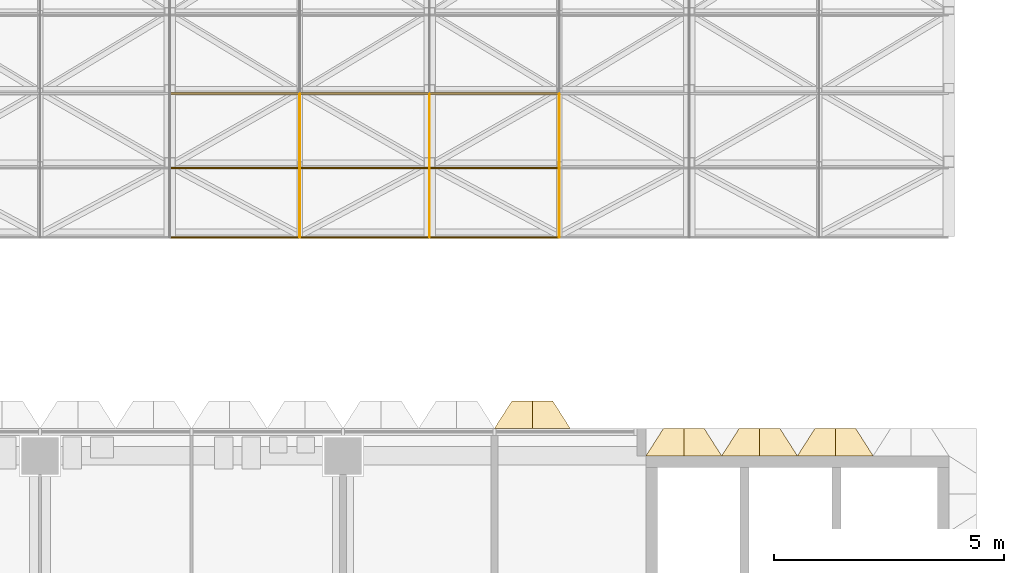
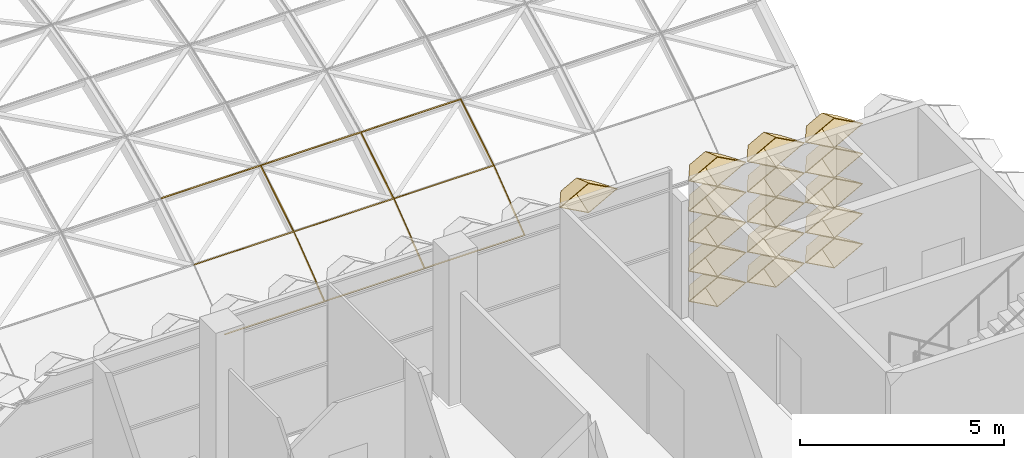
# One storey, part 68 of 85: 31 coverings.
"""IFC4 building model written with IfcOpenShell, lengths in metres."""

from ifc_helpers import new_model, entity, si_unit, direction, frame, origin, origin_2d, place, context, subcontext, project, spatial, rectangle, extrude, material, layer, layer_set, material_profile, profile_set, type_object, element, save


model = new_model("IFC4")

# Units and contexts
model_context = context("Model", 3, precision=1e-05, world=origin(), true_north=direction((0.0, 1.0)))
body_context = subcontext(model_context, "Body", "Model", "MODEL_VIEW")
ifc_project = project(units=[si_unit("LENGTHUNIT", "METRE"), si_unit("AREAUNIT", "SQUARE_METRE"), si_unit("VOLUMEUNIT", "CUBIC_METRE"), si_unit("PLANEANGLEUNIT", "RADIAN"), si_unit("MASSUNIT", "GRAM", prefix="KILO")], contexts=[model_context])

# Site, building, storey
site_placement = place(None, origin())
site = spatial("IfcSite", under=ifc_project, at=site_placement, CompositionType="ELEMENT")
building_placement = place(site_placement, origin())
building = spatial("IfcBuilding", under=site, at=building_placement, Name="Lantern Court Research Institute", CompositionType="ELEMENT")
storey_placement = place(building_placement, frame((0.0, 0.0, 18.89990234375)))
storey = spatial("IfcBuildingStorey", under=building, at=storey_placement, Name="L04", CompositionType="ELEMENT", Elevation=18.89990234375)

# Coverings
ifc_material_1 = material(Name="Anodised aluminium", Category="aluminium")
ifc_layer = layer(ifc_material_1, 0.01611328125)
ifc_layer_set = layer_set([ifc_layer], Name="Anodised aluminium")
covering_type_1 = type_object("IfcCoveringType", Name="Fin cassette 1650 x 900 x 600 aluminium", PredefinedType="CLADDING", material=ifc_layer_set)
covering_1_placement = place(storey_placement, frame((73.425048828125, 23.10009765625, 0.4501953125), z_axis=(0.0, 1.0, 0.0), x_axis=(-1.0, 0.0, 0.0)))
cartesian_point_1 = entity("IfcCartesianPoint", [0.824951171875, 0.0])
cartesian_point_2 = entity("IfcCartesianPoint", [0.79150390625, 0.0])
cartesian_point_3 = entity("IfcCartesianPoint", [0.44189453125, 0.0])
cartesian_point_4 = entity("IfcCartesianPoint", [0.43359375, 0.0])
element("IfcCovering", 1, at=covering_1_placement, inside=storey, type_object=covering_type_1, Name="Fin cassette V5N-L04 1.45", PredefinedType="CLADDING", context=body_context, shape_type="SweptSolid", body=[
    entity("IfcExtrudedAreaSolidTapered", entity("IfcArbitraryProfileDefWithVoids", "AREA", None, entity("IfcPolyline", [cartesian_point_1, entity("IfcCartesianPoint", [0.0, 0.449951171875]), entity("IfcCartesianPoint", [-0.824951171875, 0.0]), entity("IfcCartesianPoint", [0.0, -0.449951171875]), cartesian_point_1]), [entity("IfcPolyline", [cartesian_point_2, entity("IfcCartesianPoint", [0.0, 0.431884765625]), entity("IfcCartesianPoint", [-0.79150390625, 0.0]), entity("IfcCartesianPoint", [0.0, -0.431884765625]), cartesian_point_2])]), entity("IfcAxis2Placement3D", entity("IfcCartesianPoint", [0.0, 0.0, 0.0])), entity("IfcDirection", [0.0, 0.0, 1.0]), 0.60009765625, entity("IfcArbitraryProfileDefWithVoids", "AREA", None, entity("IfcPolyline", [cartesian_point_3, entity("IfcCartesianPoint", [0.0, 0.240966796875]), entity("IfcCartesianPoint", [-0.44189453125, 0.0]), entity("IfcCartesianPoint", [0.0, -0.240966796875]), cartesian_point_3]), [entity("IfcPolyline", [cartesian_point_4, entity("IfcCartesianPoint", [0.0, 0.236572265625]), entity("IfcCartesianPoint", [-0.43359375, 0.0]), entity("IfcCartesianPoint", [0.0, -0.236572265625]), cartesian_point_4])])),
])
covering_2_placement = place(storey_placement, frame((75.074951171875, 23.10009765625, 0.4501953125), z_axis=(0.0, 1.0, 0.0), x_axis=(-1.0, 0.0, 0.0)))
cartesian_point_5 = entity("IfcCartesianPoint", [0.824951171875, 0.0])
cartesian_point_6 = entity("IfcCartesianPoint", [0.79150390625, 0.0])
cartesian_point_7 = entity("IfcCartesianPoint", [0.44189453125, 0.0])
cartesian_point_8 = entity("IfcCartesianPoint", [0.43359375, 0.0])
element("IfcCovering", 2, at=covering_2_placement, inside=storey, type_object=covering_type_1, Name="Fin cassette V5N-L04 1.46", PredefinedType="CLADDING", context=body_context, shape_type="SweptSolid", body=[
    entity("IfcExtrudedAreaSolidTapered", entity("IfcArbitraryProfileDefWithVoids", "AREA", None, entity("IfcPolyline", [cartesian_point_5, entity("IfcCartesianPoint", [0.0, 0.449951171875]), entity("IfcCartesianPoint", [-0.824951171875, 0.0]), entity("IfcCartesianPoint", [0.0, -0.449951171875]), cartesian_point_5]), [entity("IfcPolyline", [cartesian_point_6, entity("IfcCartesianPoint", [0.0, 0.431884765625]), entity("IfcCartesianPoint", [-0.79150390625, 0.0]), entity("IfcCartesianPoint", [0.0, -0.431884765625]), cartesian_point_6])]), entity("IfcAxis2Placement3D", entity("IfcCartesianPoint", [0.0, 0.0, 0.0])), entity("IfcDirection", [0.0, 0.0, 1.0]), 0.60009765625, entity("IfcArbitraryProfileDefWithVoids", "AREA", None, entity("IfcPolyline", [cartesian_point_7, entity("IfcCartesianPoint", [0.0, 0.240966796875]), entity("IfcCartesianPoint", [-0.44189453125, 0.0]), entity("IfcCartesianPoint", [0.0, -0.240966796875]), cartesian_point_7]), [entity("IfcPolyline", [cartesian_point_8, entity("IfcCartesianPoint", [0.0, 0.236572265625]), entity("IfcCartesianPoint", [-0.43359375, 0.0]), entity("IfcCartesianPoint", [0.0, -0.236572265625]), cartesian_point_8])])),
])
covering_3_placement = place(storey_placement, frame((76.72509765625, 23.10009765625, 0.4501953125), z_axis=(0.0, 1.0, 0.0), x_axis=(-1.0, 0.0, 0.0)))
cartesian_point_9 = entity("IfcCartesianPoint", [0.824951171875, 0.0])
cartesian_point_10 = entity("IfcCartesianPoint", [0.79150390625, 0.0])
cartesian_point_11 = entity("IfcCartesianPoint", [0.44189453125, 0.0])
cartesian_point_12 = entity("IfcCartesianPoint", [0.43359375, 0.0])
element("IfcCovering", 3, at=covering_3_placement, inside=storey, type_object=covering_type_1, Name="Fin cassette V5N-L04 1.47", PredefinedType="CLADDING", context=body_context, shape_type="SweptSolid", body=[
    entity("IfcExtrudedAreaSolidTapered", entity("IfcArbitraryProfileDefWithVoids", "AREA", None, entity("IfcPolyline", [cartesian_point_9, entity("IfcCartesianPoint", [0.0, 0.449951171875]), entity("IfcCartesianPoint", [-0.824951171875, 0.0]), entity("IfcCartesianPoint", [0.0, -0.449951171875]), cartesian_point_9]), [entity("IfcPolyline", [cartesian_point_10, entity("IfcCartesianPoint", [0.0, 0.431884765625]), entity("IfcCartesianPoint", [-0.79150390625, 0.0]), entity("IfcCartesianPoint", [0.0, -0.431884765625]), cartesian_point_10])]), entity("IfcAxis2Placement3D", entity("IfcCartesianPoint", [0.0, 0.0, 0.0])), entity("IfcDirection", [0.0, 0.0, 1.0]), 0.60009765625, entity("IfcArbitraryProfileDefWithVoids", "AREA", None, entity("IfcPolyline", [cartesian_point_11, entity("IfcCartesianPoint", [0.0, 0.240966796875]), entity("IfcCartesianPoint", [-0.44189453125, 0.0]), entity("IfcCartesianPoint", [0.0, -0.240966796875]), cartesian_point_11]), [entity("IfcPolyline", [cartesian_point_12, entity("IfcCartesianPoint", [0.0, 0.236572265625]), entity("IfcCartesianPoint", [-0.43359375, 0.0]), entity("IfcCartesianPoint", [0.0, -0.236572265625]), cartesian_point_12])])),
])
covering_4_placement = place(storey_placement, frame((73.425048828125, 23.10009765625, 1.35009765625), z_axis=(0.0, 1.0, 0.0), x_axis=(-1.0, 0.0, 0.0)))
cartesian_point_13 = entity("IfcCartesianPoint", [0.824951171875, 0.0])
cartesian_point_14 = entity("IfcCartesianPoint", [0.79150390625, 0.0])
cartesian_point_15 = entity("IfcCartesianPoint", [0.44189453125, 0.0])
cartesian_point_16 = entity("IfcCartesianPoint", [0.43359375, 0.0])
element("IfcCovering", 4, at=covering_4_placement, inside=storey, type_object=covering_type_1, Name="Fin cassette V5N-L04 2.45", PredefinedType="CLADDING", context=body_context, shape_type="SweptSolid", body=[
    entity("IfcExtrudedAreaSolidTapered", entity("IfcArbitraryProfileDefWithVoids", "AREA", None, entity("IfcPolyline", [cartesian_point_13, entity("IfcCartesianPoint", [0.0, 0.449951171875]), entity("IfcCartesianPoint", [-0.824951171875, 0.0]), entity("IfcCartesianPoint", [0.0, -0.449951171875]), cartesian_point_13]), [entity("IfcPolyline", [cartesian_point_14, entity("IfcCartesianPoint", [0.0, 0.431884765625]), entity("IfcCartesianPoint", [-0.79150390625, 0.0]), entity("IfcCartesianPoint", [0.0, -0.431884765625]), cartesian_point_14])]), entity("IfcAxis2Placement3D", entity("IfcCartesianPoint", [0.0, 0.0, 0.0])), entity("IfcDirection", [0.0, 0.0, 1.0]), 0.60009765625, entity("IfcArbitraryProfileDefWithVoids", "AREA", None, entity("IfcPolyline", [cartesian_point_15, entity("IfcCartesianPoint", [0.0, 0.240966796875]), entity("IfcCartesianPoint", [-0.44189453125, 0.0]), entity("IfcCartesianPoint", [0.0, -0.240966796875]), cartesian_point_15]), [entity("IfcPolyline", [cartesian_point_16, entity("IfcCartesianPoint", [0.0, 0.236572265625]), entity("IfcCartesianPoint", [-0.43359375, 0.0]), entity("IfcCartesianPoint", [0.0, -0.236572265625]), cartesian_point_16])])),
])
covering_5_placement = place(storey_placement, frame((75.074951171875, 23.10009765625, 1.35009765625), z_axis=(0.0, 1.0, 0.0), x_axis=(-1.0, 0.0, 0.0)))
cartesian_point_17 = entity("IfcCartesianPoint", [0.824951171875, 0.0])
cartesian_point_18 = entity("IfcCartesianPoint", [0.79150390625, 0.0])
cartesian_point_19 = entity("IfcCartesianPoint", [0.44189453125, 0.0])
cartesian_point_20 = entity("IfcCartesianPoint", [0.43359375, 0.0])
element("IfcCovering", 5, at=covering_5_placement, inside=storey, type_object=covering_type_1, Name="Fin cassette V5N-L04 2.46", PredefinedType="CLADDING", context=body_context, shape_type="SweptSolid", body=[
    entity("IfcExtrudedAreaSolidTapered", entity("IfcArbitraryProfileDefWithVoids", "AREA", None, entity("IfcPolyline", [cartesian_point_17, entity("IfcCartesianPoint", [0.0, 0.449951171875]), entity("IfcCartesianPoint", [-0.824951171875, 0.0]), entity("IfcCartesianPoint", [0.0, -0.449951171875]), cartesian_point_17]), [entity("IfcPolyline", [cartesian_point_18, entity("IfcCartesianPoint", [0.0, 0.431884765625]), entity("IfcCartesianPoint", [-0.79150390625, 0.0]), entity("IfcCartesianPoint", [0.0, -0.431884765625]), cartesian_point_18])]), entity("IfcAxis2Placement3D", entity("IfcCartesianPoint", [0.0, 0.0, 0.0])), entity("IfcDirection", [0.0, 0.0, 1.0]), 0.60009765625, entity("IfcArbitraryProfileDefWithVoids", "AREA", None, entity("IfcPolyline", [cartesian_point_19, entity("IfcCartesianPoint", [0.0, 0.240966796875]), entity("IfcCartesianPoint", [-0.44189453125, 0.0]), entity("IfcCartesianPoint", [0.0, -0.240966796875]), cartesian_point_19]), [entity("IfcPolyline", [cartesian_point_20, entity("IfcCartesianPoint", [0.0, 0.236572265625]), entity("IfcCartesianPoint", [-0.43359375, 0.0]), entity("IfcCartesianPoint", [0.0, -0.236572265625]), cartesian_point_20])])),
])
covering_6_placement = place(storey_placement, frame((76.72509765625, 23.10009765625, 1.35009765625), z_axis=(0.0, 1.0, 0.0), x_axis=(-1.0, 0.0, 0.0)))
cartesian_point_21 = entity("IfcCartesianPoint", [0.824951171875, 0.0])
cartesian_point_22 = entity("IfcCartesianPoint", [0.79150390625, 0.0])
cartesian_point_23 = entity("IfcCartesianPoint", [0.44189453125, 0.0])
cartesian_point_24 = entity("IfcCartesianPoint", [0.43359375, 0.0])
element("IfcCovering", 6, at=covering_6_placement, inside=storey, type_object=covering_type_1, Name="Fin cassette V5N-L04 2.47", PredefinedType="CLADDING", context=body_context, shape_type="SweptSolid", body=[
    entity("IfcExtrudedAreaSolidTapered", entity("IfcArbitraryProfileDefWithVoids", "AREA", None, entity("IfcPolyline", [cartesian_point_21, entity("IfcCartesianPoint", [0.0, 0.449951171875]), entity("IfcCartesianPoint", [-0.824951171875, 0.0]), entity("IfcCartesianPoint", [0.0, -0.449951171875]), cartesian_point_21]), [entity("IfcPolyline", [cartesian_point_22, entity("IfcCartesianPoint", [0.0, 0.431884765625]), entity("IfcCartesianPoint", [-0.79150390625, 0.0]), entity("IfcCartesianPoint", [0.0, -0.431884765625]), cartesian_point_22])]), entity("IfcAxis2Placement3D", entity("IfcCartesianPoint", [0.0, 0.0, 0.0])), entity("IfcDirection", [0.0, 0.0, 1.0]), 0.60009765625, entity("IfcArbitraryProfileDefWithVoids", "AREA", None, entity("IfcPolyline", [cartesian_point_23, entity("IfcCartesianPoint", [0.0, 0.240966796875]), entity("IfcCartesianPoint", [-0.44189453125, 0.0]), entity("IfcCartesianPoint", [0.0, -0.240966796875]), cartesian_point_23]), [entity("IfcPolyline", [cartesian_point_24, entity("IfcCartesianPoint", [0.0, 0.236572265625]), entity("IfcCartesianPoint", [-0.43359375, 0.0]), entity("IfcCartesianPoint", [0.0, -0.236572265625]), cartesian_point_24])])),
])
covering_7_placement = place(storey_placement, frame((73.425048828125, 23.10009765625, 2.25), z_axis=(0.0, 1.0, 0.0), x_axis=(-1.0, 0.0, 0.0)))
cartesian_point_25 = entity("IfcCartesianPoint", [0.824951171875, 0.0])
cartesian_point_26 = entity("IfcCartesianPoint", [0.79150390625, 0.0])
cartesian_point_27 = entity("IfcCartesianPoint", [0.44189453125, 0.0])
cartesian_point_28 = entity("IfcCartesianPoint", [0.43359375, 0.0])
element("IfcCovering", 7, at=covering_7_placement, inside=storey, type_object=covering_type_1, Name="Fin cassette V5N-L04 3.45", PredefinedType="CLADDING", context=body_context, shape_type="SweptSolid", body=[
    entity("IfcExtrudedAreaSolidTapered", entity("IfcArbitraryProfileDefWithVoids", "AREA", None, entity("IfcPolyline", [cartesian_point_25, entity("IfcCartesianPoint", [0.0, 0.449951171875]), entity("IfcCartesianPoint", [-0.824951171875, 0.0]), entity("IfcCartesianPoint", [0.0, -0.449951171875]), cartesian_point_25]), [entity("IfcPolyline", [cartesian_point_26, entity("IfcCartesianPoint", [0.0, 0.431884765625]), entity("IfcCartesianPoint", [-0.79150390625, 0.0]), entity("IfcCartesianPoint", [0.0, -0.431884765625]), cartesian_point_26])]), entity("IfcAxis2Placement3D", entity("IfcCartesianPoint", [0.0, 0.0, 0.0])), entity("IfcDirection", [0.0, 0.0, 1.0]), 0.60009765625, entity("IfcArbitraryProfileDefWithVoids", "AREA", None, entity("IfcPolyline", [cartesian_point_27, entity("IfcCartesianPoint", [0.0, 0.240966796875]), entity("IfcCartesianPoint", [-0.44189453125, 0.0]), entity("IfcCartesianPoint", [0.0, -0.240966796875]), cartesian_point_27]), [entity("IfcPolyline", [cartesian_point_28, entity("IfcCartesianPoint", [0.0, 0.236572265625]), entity("IfcCartesianPoint", [-0.43359375, 0.0]), entity("IfcCartesianPoint", [0.0, -0.236572265625]), cartesian_point_28])])),
])
covering_8_placement = place(storey_placement, frame((75.074951171875, 23.10009765625, 2.25), z_axis=(0.0, 1.0, 0.0), x_axis=(-1.0, 0.0, 0.0)))
cartesian_point_29 = entity("IfcCartesianPoint", [0.824951171875, 0.0])
cartesian_point_30 = entity("IfcCartesianPoint", [0.79150390625, 0.0])
cartesian_point_31 = entity("IfcCartesianPoint", [0.44189453125, 0.0])
cartesian_point_32 = entity("IfcCartesianPoint", [0.43359375, 0.0])
element("IfcCovering", 8, at=covering_8_placement, inside=storey, type_object=covering_type_1, Name="Fin cassette V5N-L04 3.46", PredefinedType="CLADDING", context=body_context, shape_type="SweptSolid", body=[
    entity("IfcExtrudedAreaSolidTapered", entity("IfcArbitraryProfileDefWithVoids", "AREA", None, entity("IfcPolyline", [cartesian_point_29, entity("IfcCartesianPoint", [0.0, 0.449951171875]), entity("IfcCartesianPoint", [-0.824951171875, 0.0]), entity("IfcCartesianPoint", [0.0, -0.449951171875]), cartesian_point_29]), [entity("IfcPolyline", [cartesian_point_30, entity("IfcCartesianPoint", [0.0, 0.431884765625]), entity("IfcCartesianPoint", [-0.79150390625, 0.0]), entity("IfcCartesianPoint", [0.0, -0.431884765625]), cartesian_point_30])]), entity("IfcAxis2Placement3D", entity("IfcCartesianPoint", [0.0, 0.0, 0.0])), entity("IfcDirection", [0.0, 0.0, 1.0]), 0.60009765625, entity("IfcArbitraryProfileDefWithVoids", "AREA", None, entity("IfcPolyline", [cartesian_point_31, entity("IfcCartesianPoint", [0.0, 0.240966796875]), entity("IfcCartesianPoint", [-0.44189453125, 0.0]), entity("IfcCartesianPoint", [0.0, -0.240966796875]), cartesian_point_31]), [entity("IfcPolyline", [cartesian_point_32, entity("IfcCartesianPoint", [0.0, 0.236572265625]), entity("IfcCartesianPoint", [-0.43359375, 0.0]), entity("IfcCartesianPoint", [0.0, -0.236572265625]), cartesian_point_32])])),
])
covering_9_placement = place(storey_placement, frame((76.72509765625, 23.10009765625, 2.25), z_axis=(0.0, 1.0, 0.0), x_axis=(-1.0, 0.0, 0.0)))
cartesian_point_33 = entity("IfcCartesianPoint", [0.824951171875, 0.0])
cartesian_point_34 = entity("IfcCartesianPoint", [0.79150390625, 0.0])
cartesian_point_35 = entity("IfcCartesianPoint", [0.44189453125, 0.0])
cartesian_point_36 = entity("IfcCartesianPoint", [0.43359375, 0.0])
element("IfcCovering", 9, at=covering_9_placement, inside=storey, type_object=covering_type_1, Name="Fin cassette V5N-L04 3.47", PredefinedType="CLADDING", context=body_context, shape_type="SweptSolid", body=[
    entity("IfcExtrudedAreaSolidTapered", entity("IfcArbitraryProfileDefWithVoids", "AREA", None, entity("IfcPolyline", [cartesian_point_33, entity("IfcCartesianPoint", [0.0, 0.449951171875]), entity("IfcCartesianPoint", [-0.824951171875, 0.0]), entity("IfcCartesianPoint", [0.0, -0.449951171875]), cartesian_point_33]), [entity("IfcPolyline", [cartesian_point_34, entity("IfcCartesianPoint", [0.0, 0.431884765625]), entity("IfcCartesianPoint", [-0.79150390625, 0.0]), entity("IfcCartesianPoint", [0.0, -0.431884765625]), cartesian_point_34])]), entity("IfcAxis2Placement3D", entity("IfcCartesianPoint", [0.0, 0.0, 0.0])), entity("IfcDirection", [0.0, 0.0, 1.0]), 0.60009765625, entity("IfcArbitraryProfileDefWithVoids", "AREA", None, entity("IfcPolyline", [cartesian_point_35, entity("IfcCartesianPoint", [0.0, 0.240966796875]), entity("IfcCartesianPoint", [-0.44189453125, 0.0]), entity("IfcCartesianPoint", [0.0, -0.240966796875]), cartesian_point_35]), [entity("IfcPolyline", [cartesian_point_36, entity("IfcCartesianPoint", [0.0, 0.236572265625]), entity("IfcCartesianPoint", [-0.43359375, 0.0]), entity("IfcCartesianPoint", [0.0, -0.236572265625]), cartesian_point_36])])),
])
covering_10_placement = place(storey_placement, frame((73.425048828125, 23.10009765625, 3.150146484375), z_axis=(0.0, 1.0, 0.0), x_axis=(-1.0, 0.0, 0.0)))
cartesian_point_37 = entity("IfcCartesianPoint", [0.824951171875, 0.0])
cartesian_point_38 = entity("IfcCartesianPoint", [0.79150390625, 0.0])
cartesian_point_39 = entity("IfcCartesianPoint", [0.44189453125, 0.0])
cartesian_point_40 = entity("IfcCartesianPoint", [0.43359375, 0.0])
element("IfcCovering", 10, at=covering_10_placement, inside=storey, type_object=covering_type_1, Name="Fin cassette V5N-L04 4.45", PredefinedType="CLADDING", context=body_context, shape_type="SweptSolid", body=[
    entity("IfcExtrudedAreaSolidTapered", entity("IfcArbitraryProfileDefWithVoids", "AREA", None, entity("IfcPolyline", [cartesian_point_37, entity("IfcCartesianPoint", [0.0, 0.449951171875]), entity("IfcCartesianPoint", [-0.824951171875, 0.0]), entity("IfcCartesianPoint", [0.0, -0.449951171875]), cartesian_point_37]), [entity("IfcPolyline", [cartesian_point_38, entity("IfcCartesianPoint", [0.0, 0.431884765625]), entity("IfcCartesianPoint", [-0.79150390625, 0.0]), entity("IfcCartesianPoint", [0.0, -0.431884765625]), cartesian_point_38])]), entity("IfcAxis2Placement3D", entity("IfcCartesianPoint", [0.0, 0.0, 0.0])), entity("IfcDirection", [0.0, 0.0, 1.0]), 0.60009765625, entity("IfcArbitraryProfileDefWithVoids", "AREA", None, entity("IfcPolyline", [cartesian_point_39, entity("IfcCartesianPoint", [0.0, 0.240966796875]), entity("IfcCartesianPoint", [-0.44189453125, 0.0]), entity("IfcCartesianPoint", [0.0, -0.240966796875]), cartesian_point_39]), [entity("IfcPolyline", [cartesian_point_40, entity("IfcCartesianPoint", [0.0, 0.236572265625]), entity("IfcCartesianPoint", [-0.43359375, 0.0]), entity("IfcCartesianPoint", [0.0, -0.236572265625]), cartesian_point_40])])),
])
covering_11_placement = place(storey_placement, frame((75.074951171875, 23.10009765625, 3.150146484375), z_axis=(0.0, 1.0, 0.0), x_axis=(-1.0, 0.0, 0.0)))
cartesian_point_41 = entity("IfcCartesianPoint", [0.824951171875, 0.0])
cartesian_point_42 = entity("IfcCartesianPoint", [0.79150390625, 0.0])
cartesian_point_43 = entity("IfcCartesianPoint", [0.44189453125, 0.0])
cartesian_point_44 = entity("IfcCartesianPoint", [0.43359375, 0.0])
element("IfcCovering", 11, at=covering_11_placement, inside=storey, type_object=covering_type_1, Name="Fin cassette V5N-L04 4.46", PredefinedType="CLADDING", context=body_context, shape_type="SweptSolid", body=[
    entity("IfcExtrudedAreaSolidTapered", entity("IfcArbitraryProfileDefWithVoids", "AREA", None, entity("IfcPolyline", [cartesian_point_41, entity("IfcCartesianPoint", [0.0, 0.449951171875]), entity("IfcCartesianPoint", [-0.824951171875, 0.0]), entity("IfcCartesianPoint", [0.0, -0.449951171875]), cartesian_point_41]), [entity("IfcPolyline", [cartesian_point_42, entity("IfcCartesianPoint", [0.0, 0.431884765625]), entity("IfcCartesianPoint", [-0.79150390625, 0.0]), entity("IfcCartesianPoint", [0.0, -0.431884765625]), cartesian_point_42])]), entity("IfcAxis2Placement3D", entity("IfcCartesianPoint", [0.0, 0.0, 0.0])), entity("IfcDirection", [0.0, 0.0, 1.0]), 0.60009765625, entity("IfcArbitraryProfileDefWithVoids", "AREA", None, entity("IfcPolyline", [cartesian_point_43, entity("IfcCartesianPoint", [0.0, 0.240966796875]), entity("IfcCartesianPoint", [-0.44189453125, 0.0]), entity("IfcCartesianPoint", [0.0, -0.240966796875]), cartesian_point_43]), [entity("IfcPolyline", [cartesian_point_44, entity("IfcCartesianPoint", [0.0, 0.236572265625]), entity("IfcCartesianPoint", [-0.43359375, 0.0]), entity("IfcCartesianPoint", [0.0, -0.236572265625]), cartesian_point_44])])),
])
covering_12_placement = place(storey_placement, frame((76.72509765625, 23.10009765625, 3.150146484375), z_axis=(0.0, 1.0, 0.0), x_axis=(-1.0, 0.0, 0.0)))
cartesian_point_45 = entity("IfcCartesianPoint", [0.824951171875, 0.0])
cartesian_point_46 = entity("IfcCartesianPoint", [0.79150390625, 0.0])
cartesian_point_47 = entity("IfcCartesianPoint", [0.44189453125, 0.0])
cartesian_point_48 = entity("IfcCartesianPoint", [0.43359375, 0.0])
element("IfcCovering", 12, at=covering_12_placement, inside=storey, type_object=covering_type_1, Name="Fin cassette V5N-L04 4.47", PredefinedType="CLADDING", context=body_context, shape_type="SweptSolid", body=[
    entity("IfcExtrudedAreaSolidTapered", entity("IfcArbitraryProfileDefWithVoids", "AREA", None, entity("IfcPolyline", [cartesian_point_45, entity("IfcCartesianPoint", [0.0, 0.449951171875]), entity("IfcCartesianPoint", [-0.824951171875, 0.0]), entity("IfcCartesianPoint", [0.0, -0.449951171875]), cartesian_point_45]), [entity("IfcPolyline", [cartesian_point_46, entity("IfcCartesianPoint", [0.0, 0.431884765625]), entity("IfcCartesianPoint", [-0.79150390625, 0.0]), entity("IfcCartesianPoint", [0.0, -0.431884765625]), cartesian_point_46])]), entity("IfcAxis2Placement3D", entity("IfcCartesianPoint", [0.0, 0.0, 0.0])), entity("IfcDirection", [0.0, 0.0, 1.0]), 0.60009765625, entity("IfcArbitraryProfileDefWithVoids", "AREA", None, entity("IfcPolyline", [cartesian_point_47, entity("IfcCartesianPoint", [0.0, 0.240966796875]), entity("IfcCartesianPoint", [-0.44189453125, 0.0]), entity("IfcCartesianPoint", [0.0, -0.240966796875]), cartesian_point_47]), [entity("IfcPolyline", [cartesian_point_48, entity("IfcCartesianPoint", [0.0, 0.236572265625]), entity("IfcCartesianPoint", [-0.43359375, 0.0]), entity("IfcCartesianPoint", [0.0, -0.236572265625]), cartesian_point_48])])),
])
covering_13_placement = place(storey_placement, frame((73.425048828125, 23.10009765625, 4.050048828125), z_axis=(0.0, 1.0, 0.0), x_axis=(-1.0, 0.0, 0.0)))
cartesian_point_49 = entity("IfcCartesianPoint", [0.824951171875, 0.0])
cartesian_point_50 = entity("IfcCartesianPoint", [0.79150390625, 0.0])
cartesian_point_51 = entity("IfcCartesianPoint", [0.44189453125, 0.0])
cartesian_point_52 = entity("IfcCartesianPoint", [0.43359375, 0.0])
element("IfcCovering", 13, at=covering_13_placement, inside=storey, type_object=covering_type_1, Name="Fin cassette V5N-L04 5.45", PredefinedType="CLADDING", context=body_context, shape_type="SweptSolid", body=[
    entity("IfcExtrudedAreaSolidTapered", entity("IfcArbitraryProfileDefWithVoids", "AREA", None, entity("IfcPolyline", [cartesian_point_49, entity("IfcCartesianPoint", [0.0, 0.449951171875]), entity("IfcCartesianPoint", [-0.824951171875, 0.0]), entity("IfcCartesianPoint", [0.0, -0.449951171875]), cartesian_point_49]), [entity("IfcPolyline", [cartesian_point_50, entity("IfcCartesianPoint", [0.0, 0.431884765625]), entity("IfcCartesianPoint", [-0.79150390625, 0.0]), entity("IfcCartesianPoint", [0.0, -0.431884765625]), cartesian_point_50])]), entity("IfcAxis2Placement3D", entity("IfcCartesianPoint", [0.0, 0.0, 0.0])), entity("IfcDirection", [0.0, 0.0, 1.0]), 0.60009765625, entity("IfcArbitraryProfileDefWithVoids", "AREA", None, entity("IfcPolyline", [cartesian_point_51, entity("IfcCartesianPoint", [0.0, 0.240966796875]), entity("IfcCartesianPoint", [-0.44189453125, 0.0]), entity("IfcCartesianPoint", [0.0, -0.240966796875]), cartesian_point_51]), [entity("IfcPolyline", [cartesian_point_52, entity("IfcCartesianPoint", [0.0, 0.236572265625]), entity("IfcCartesianPoint", [-0.43359375, 0.0]), entity("IfcCartesianPoint", [0.0, -0.236572265625]), cartesian_point_52])])),
])
covering_14_placement = place(storey_placement, frame((75.074951171875, 23.10009765625, 4.050048828125), z_axis=(0.0, 1.0, 0.0), x_axis=(-1.0, 0.0, 0.0)))
cartesian_point_53 = entity("IfcCartesianPoint", [0.824951171875, 0.0])
cartesian_point_54 = entity("IfcCartesianPoint", [0.79150390625, 0.0])
cartesian_point_55 = entity("IfcCartesianPoint", [0.44189453125, 0.0])
cartesian_point_56 = entity("IfcCartesianPoint", [0.43359375, 0.0])
element("IfcCovering", 14, at=covering_14_placement, inside=storey, type_object=covering_type_1, Name="Fin cassette V5N-L04 5.46", PredefinedType="CLADDING", context=body_context, shape_type="SweptSolid", body=[
    entity("IfcExtrudedAreaSolidTapered", entity("IfcArbitraryProfileDefWithVoids", "AREA", None, entity("IfcPolyline", [cartesian_point_53, entity("IfcCartesianPoint", [0.0, 0.449951171875]), entity("IfcCartesianPoint", [-0.824951171875, 0.0]), entity("IfcCartesianPoint", [0.0, -0.449951171875]), cartesian_point_53]), [entity("IfcPolyline", [cartesian_point_54, entity("IfcCartesianPoint", [0.0, 0.431884765625]), entity("IfcCartesianPoint", [-0.79150390625, 0.0]), entity("IfcCartesianPoint", [0.0, -0.431884765625]), cartesian_point_54])]), entity("IfcAxis2Placement3D", entity("IfcCartesianPoint", [0.0, 0.0, 0.0])), entity("IfcDirection", [0.0, 0.0, 1.0]), 0.60009765625, entity("IfcArbitraryProfileDefWithVoids", "AREA", None, entity("IfcPolyline", [cartesian_point_55, entity("IfcCartesianPoint", [0.0, 0.240966796875]), entity("IfcCartesianPoint", [-0.44189453125, 0.0]), entity("IfcCartesianPoint", [0.0, -0.240966796875]), cartesian_point_55]), [entity("IfcPolyline", [cartesian_point_56, entity("IfcCartesianPoint", [0.0, 0.236572265625]), entity("IfcCartesianPoint", [-0.43359375, 0.0]), entity("IfcCartesianPoint", [0.0, -0.236572265625]), cartesian_point_56])])),
])
covering_15_placement = place(storey_placement, frame((76.72509765625, 23.10009765625, 4.050048828125), z_axis=(0.0, 1.0, 0.0), x_axis=(-1.0, 0.0, 0.0)))
cartesian_point_57 = entity("IfcCartesianPoint", [0.824951171875, 0.0])
cartesian_point_58 = entity("IfcCartesianPoint", [0.79150390625, 0.0])
cartesian_point_59 = entity("IfcCartesianPoint", [0.44189453125, 0.0])
cartesian_point_60 = entity("IfcCartesianPoint", [0.43359375, 0.0])
element("IfcCovering", 15, at=covering_15_placement, inside=storey, type_object=covering_type_1, Name="Fin cassette V5N-L04 5.47", PredefinedType="CLADDING", context=body_context, shape_type="SweptSolid", body=[
    entity("IfcExtrudedAreaSolidTapered", entity("IfcArbitraryProfileDefWithVoids", "AREA", None, entity("IfcPolyline", [cartesian_point_57, entity("IfcCartesianPoint", [0.0, 0.449951171875]), entity("IfcCartesianPoint", [-0.824951171875, 0.0]), entity("IfcCartesianPoint", [0.0, -0.449951171875]), cartesian_point_57]), [entity("IfcPolyline", [cartesian_point_58, entity("IfcCartesianPoint", [0.0, 0.431884765625]), entity("IfcCartesianPoint", [-0.79150390625, 0.0]), entity("IfcCartesianPoint", [0.0, -0.431884765625]), cartesian_point_58])]), entity("IfcAxis2Placement3D", entity("IfcCartesianPoint", [0.0, 0.0, 0.0])), entity("IfcDirection", [0.0, 0.0, 1.0]), 0.60009765625, entity("IfcArbitraryProfileDefWithVoids", "AREA", None, entity("IfcPolyline", [cartesian_point_59, entity("IfcCartesianPoint", [0.0, 0.240966796875]), entity("IfcCartesianPoint", [-0.44189453125, 0.0]), entity("IfcCartesianPoint", [0.0, -0.240966796875]), cartesian_point_59]), [entity("IfcPolyline", [cartesian_point_60, entity("IfcCartesianPoint", [0.0, 0.236572265625]), entity("IfcCartesianPoint", [-0.43359375, 0.0]), entity("IfcCartesianPoint", [0.0, -0.236572265625]), cartesian_point_60])])),
])
covering_16_placement = place(storey_placement, frame((70.125, 23.699951171875, 4.050048828125), z_axis=(0.0, 1.0, 0.0), x_axis=(-1.0, 0.0, 0.0)))
cartesian_point_61 = entity("IfcCartesianPoint", [0.824951171875, 0.0])
cartesian_point_62 = entity("IfcCartesianPoint", [0.79150390625, 0.0])
cartesian_point_63 = entity("IfcCartesianPoint", [0.44189453125, 0.0])
cartesian_point_64 = entity("IfcCartesianPoint", [0.43359375, 0.0])
element("IfcCovering", 16, at=covering_16_placement, inside=storey, type_object=covering_type_1, Name="Fin cassette V5N-L04 5.43", PredefinedType="CLADDING", context=body_context, shape_type="SweptSolid", body=[
    entity("IfcExtrudedAreaSolidTapered", entity("IfcArbitraryProfileDefWithVoids", "AREA", None, entity("IfcPolyline", [cartesian_point_61, entity("IfcCartesianPoint", [0.0, 0.449951171875]), entity("IfcCartesianPoint", [-0.824951171875, 0.0]), entity("IfcCartesianPoint", [0.0, -0.449951171875]), cartesian_point_61]), [entity("IfcPolyline", [cartesian_point_62, entity("IfcCartesianPoint", [0.0, 0.431884765625]), entity("IfcCartesianPoint", [-0.79150390625, 0.0]), entity("IfcCartesianPoint", [0.0, -0.431884765625]), cartesian_point_62])]), entity("IfcAxis2Placement3D", entity("IfcCartesianPoint", [0.0, 0.0, 0.0])), entity("IfcDirection", [0.0, 0.0, 1.0]), 0.60009765625, entity("IfcArbitraryProfileDefWithVoids", "AREA", None, entity("IfcPolyline", [cartesian_point_63, entity("IfcCartesianPoint", [0.0, 0.240966796875]), entity("IfcCartesianPoint", [-0.44189453125, 0.0]), entity("IfcCartesianPoint", [0.0, -0.240966796875]), cartesian_point_63]), [entity("IfcPolyline", [cartesian_point_64, entity("IfcCartesianPoint", [0.0, 0.236572265625]), entity("IfcCartesianPoint", [-0.43359375, 0.0]), entity("IfcCartesianPoint", [0.0, -0.236572265625]), cartesian_point_64])])),
])
ifc_material_2 = material(Name="Aluminium alloy 6063-T6", Category="aluminium")
ifc_material_profile = material_profile(ifc_material_2, rectangle(XDim=0.01806640625, YDim=0.0439453125, at=origin_2d()), Name="Joint cover bar 18 x 44")
ifc_profile_set = profile_set([ifc_material_profile], Name="Aluminium alloy 6063-T6")
covering_type_2 = type_object("IfcCoveringType", Name="Joint cover bar 18 x 44", PredefinedType="MOLDING", material=ifc_profile_set)
for number, where, z_axis, x_axis, name in (
    (17, (62.238525390625, 27.8642578125, 0.21240234375), (1.0, 0.0, 0.0), (0.0, 0.761672913152, 0.647961706717), "Joint cover bar"),
    (18, (62.238525390625, 29.375244140625, 1.3720703125), (1.0, 0.0, 0.0), (0.0, 0.822954255966, 0.568107641726), "Joint cover bar"),
    (19, (62.238525390625, 30.9951171875, 2.373779296875), (1.0, 0.0, 0.0), (0.0, 0.875897373228, 0.482497452399), "Joint cover bar"),
):
    element("IfcCovering", number, at=place(storey_placement, frame(where, z_axis=z_axis, x_axis=x_axis)), inside=storey, type_object=covering_type_2, Name=name, PredefinedType="MOLDING", context=body_context, shape_type="SweptSolid", body=[
        extrude(rectangle(XDim=0.01806640625, YDim=0.0439453125, at=origin_2d()), origin(), (0.0, 0.0, 1.0), 2.80859375),
    ])
covering_17_placement = place(storey_placement, frame((65.05712890625, 27.864990234375, 0.213134765625), z_axis=(0.0, 0.793329505358, 0.608792490039), x_axis=(-1.0, 0.0, 0.0)))
element("IfcCovering", 20, at=covering_17_placement, inside=storey, type_object=covering_type_2, Name="Joint cover bar", PredefinedType="MOLDING", context=body_context, shape_type="SweptSolid", body=[
    extrude(rectangle(XDim=0.01806640625, YDim=0.0439453125, at=origin_2d()), origin(), (0.0, 0.0, 1.0), 1.90234375),
])
covering_18_placement = place(storey_placement, frame((65.067138671875, 27.8642578125, 0.21240234375), z_axis=(1.0, 0.0, 0.0), x_axis=(0.0, 0.761672913152, 0.647961706717)))
element("IfcCovering", 21, at=covering_18_placement, inside=storey, type_object=covering_type_2, Name="Joint cover bar", PredefinedType="MOLDING", context=body_context, shape_type="SweptSolid", body=[
    extrude(rectangle(XDim=0.01806640625, YDim=0.0439453125, at=origin_2d()), origin(), (0.0, 0.0, 1.0), 2.80859375),
])
covering_19_placement = place(storey_placement, frame((65.05712890625, 29.376220703125, 1.37255859375), z_axis=(0.0, 0.850462004525, 0.526036480541), x_axis=(-1.0, 0.0, 0.0)))
element("IfcCovering", 22, at=covering_19_placement, inside=storey, type_object=covering_type_2, Name="Joint cover bar", PredefinedType="MOLDING", context=body_context, shape_type="SweptSolid", body=[
    extrude(rectangle(XDim=0.01806640625, YDim=0.0439453125, at=origin_2d()), origin(), (0.0, 0.0, 1.0), 1.90234375),
])
for number, where, z_axis, x_axis, name in (
    (23, (65.067138671875, 29.375244140625, 1.3720703125), (1.0, 0.0, 0.0), (0.0, 0.822954255966, 0.568107641726), "Joint cover bar"),
    (24, (65.067138671875, 30.9951171875, 2.373779296875), (1.0, 0.0, 0.0), (0.0, 0.875897373228, 0.482497452399), "Joint cover bar"),
):
    element("IfcCovering", number, at=place(storey_placement, frame(where, z_axis=z_axis, x_axis=x_axis)), inside=storey, type_object=covering_type_2, Name=name, PredefinedType="MOLDING", context=body_context, shape_type="SweptSolid", body=[
        extrude(rectangle(XDim=0.01806640625, YDim=0.0439453125, at=origin_2d()), origin(), (0.0, 0.0, 1.0), 2.80859375),
    ])
covering_20_placement = place(storey_placement, frame((67.8857421875, 27.864990234375, 0.213134765625), z_axis=(0.0, 0.793329505358, 0.608792490039), x_axis=(-1.0, 0.0, 0.0)))
element("IfcCovering", 25, at=covering_20_placement, inside=storey, type_object=covering_type_2, Name="Joint cover bar", PredefinedType="MOLDING", context=body_context, shape_type="SweptSolid", body=[
    extrude(rectangle(XDim=0.01806640625, YDim=0.0439453125, at=origin_2d()), origin(), (0.0, 0.0, 1.0), 1.90234375),
])
covering_21_placement = place(storey_placement, frame((67.895751953125, 27.8642578125, 0.21240234375), z_axis=(1.0, 0.0, 0.0), x_axis=(0.0, 0.761672913152, 0.647961706717)))
element("IfcCovering", 26, at=covering_21_placement, inside=storey, type_object=covering_type_2, Name="Joint cover bar", PredefinedType="MOLDING", context=body_context, shape_type="SweptSolid", body=[
    extrude(rectangle(XDim=0.01806640625, YDim=0.0439453125, at=origin_2d()), origin(), (0.0, 0.0, 1.0), 2.80859375),
])
covering_22_placement = place(storey_placement, frame((67.8857421875, 29.376220703125, 1.37255859375), z_axis=(0.0, 0.850462004525, 0.526036480541), x_axis=(-1.0, 0.0, 0.0)))
element("IfcCovering", 27, at=covering_22_placement, inside=storey, type_object=covering_type_2, Name="Joint cover bar", PredefinedType="MOLDING", context=body_context, shape_type="SweptSolid", body=[
    extrude(rectangle(XDim=0.01806640625, YDim=0.0439453125, at=origin_2d()), origin(), (0.0, 0.0, 1.0), 1.90234375),
])
for number, where, z_axis, x_axis, name in (
    (28, (67.895751953125, 29.375244140625, 1.3720703125), (1.0, 0.0, 0.0), (0.0, 0.822954255966, 0.568107641726), "Joint cover bar"),
    (29, (67.895751953125, 30.9951171875, 2.373779296875), (1.0, 0.0, 0.0), (0.0, 0.875897373228, 0.482497452399), "Joint cover bar"),
):
    element("IfcCovering", number, at=place(storey_placement, frame(where, z_axis=z_axis, x_axis=x_axis)), inside=storey, type_object=covering_type_2, Name=name, PredefinedType="MOLDING", context=body_context, shape_type="SweptSolid", body=[
        extrude(rectangle(XDim=0.01806640625, YDim=0.0439453125, at=origin_2d()), origin(), (0.0, 0.0, 1.0), 2.80859375),
    ])
for number, where, z_axis, x_axis, name in (
    (30, (70.71435546875, 27.864990234375, 0.213134765625), (0.0, 0.793329505358, 0.608792490039), (-1.0, 0.0, 0.0), "Joint cover bar"),
    (31, (70.71435546875, 29.376220703125, 1.37255859375), (0.0, 0.850462004525, 0.526036480541), (-1.0, 0.0, 0.0), "Joint cover bar"),
):
    element("IfcCovering", number, at=place(storey_placement, frame(where, z_axis=z_axis, x_axis=x_axis)), inside=storey, type_object=covering_type_2, Name=name, PredefinedType="MOLDING", context=body_context, shape_type="SweptSolid", body=[
        extrude(rectangle(XDim=0.01806640625, YDim=0.0439453125, at=origin_2d()), origin(), (0.0, 0.0, 1.0), 1.90234375),
    ])

save(model, "model.ifc")
